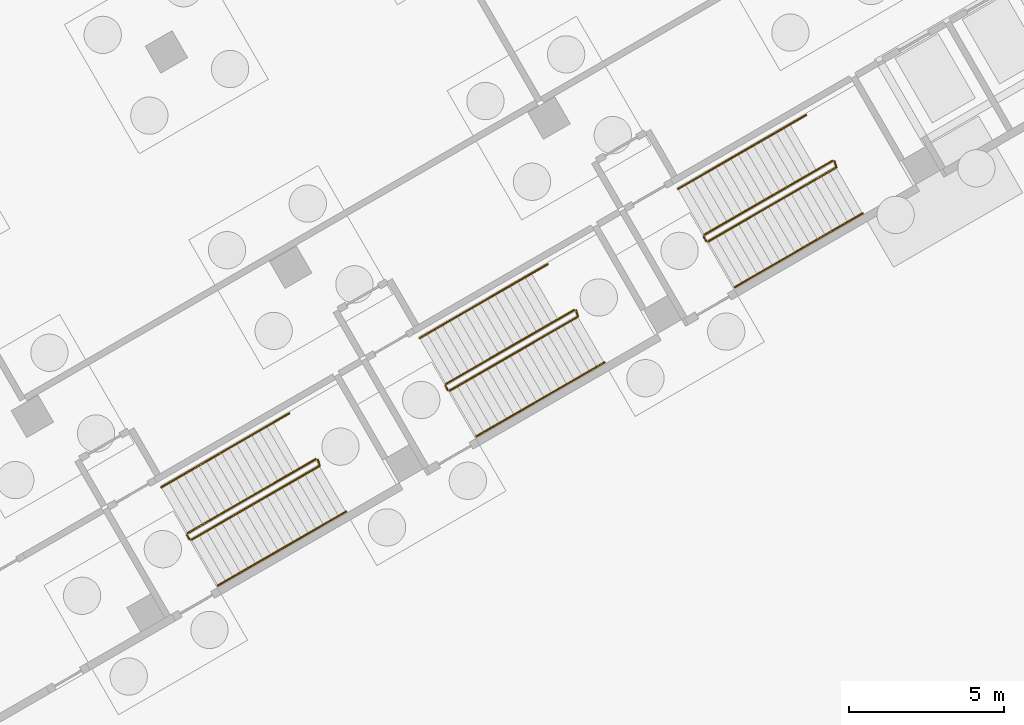
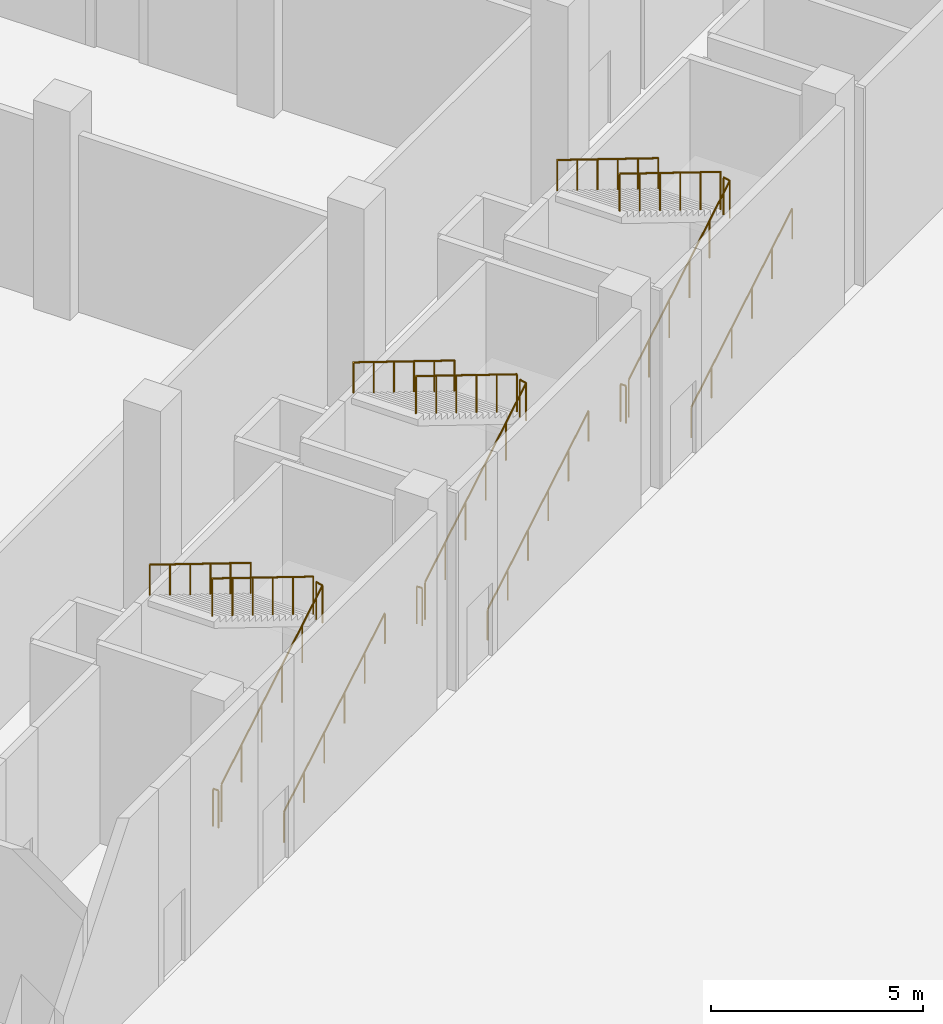
# One storey, part 35 of 38: 15 railings.
"""IFC4 building model written with IfcOpenShell, lengths in metres."""

from ifc_helpers import new_model, si_unit, direction, frame, origin, origin_2d, place, context, subcontext, project, spatial, circle, extrude, material, type_object, element, save


model = new_model("IFC4")

# Units and contexts
model_context = context("Model", 3, precision=1e-05, world=origin(), true_north=direction((0.0, 1.0)))
body_context = subcontext(model_context, "Body", "Model", "MODEL_VIEW")
ifc_project = project(units=[si_unit("LENGTHUNIT", "METRE"), si_unit("AREAUNIT", "SQUARE_METRE"), si_unit("VOLUMEUNIT", "CUBIC_METRE"), si_unit("PLANEANGLEUNIT", "RADIAN"), si_unit("MASSUNIT", "GRAM", prefix="KILO")], contexts=[model_context])

# Site, building, storey
site_placement = place(None, origin())
site = spatial("IfcSite", under=ifc_project, at=site_placement, CompositionType="ELEMENT")
building_placement = place(site_placement, origin())
building = spatial("IfcBuilding", under=site, at=building_placement, Name="Mestral Congress Tower", CompositionType="ELEMENT")
storey_placement = place(building_placement, origin())
storey = spatial("IfcBuildingStorey", under=building, at=storey_placement, Name="L00", CompositionType="ELEMENT", Elevation=0.0)

# Railings
ifc_material_1 = material(Name="Steel balustrade", Category="steel")
railing_type_1 = type_object("IfcRailingType", Name="Podium stair guard 1100", PredefinedType="GUARDRAIL", material=ifc_material_1)
railing_1_placement = place(storey_placement, frame((51.889892578125, -13.919921875, 0.166748046875)))
element("IfcRailing", 1, at=railing_1_placement, inside=storey, type_object=railing_type_1, Name="L00 PS-E1 stair guard 1", PredefinedType="GUARDRAIL", context=body_context, shape_type="SweptSolid", body=[
    extrude(circle(Radius=0.02392578125, at=origin_2d()), frame((0.0, 0.0, 1.076171875), z_axis=(0.744184523948, 0.429630485013, 0.51147535685), x_axis=(-0.499978485002, 0.866037825118, 0.0)), (0.0, 0.0, 1.0), 5.539306640625),
    extrude(circle(Radius=0.02392578125, at=origin_2d()), frame((4.122314453125, 2.3798828125, 3.9091796875), z_axis=(-0.274721127897, 0.961523947641, 0.0), x_axis=(-0.961523947641, -0.274721127897, 0.0)), (0.0, 0.0, 1.0), 0.2060546875),
    extrude(circle(Radius=0.02099609375, at=origin_2d()), origin(), (0.0, 0.0, 1.0), 1.052001953125),
    extrude(circle(Radius=0.02099609375, at=origin_2d()), frame((0.824462890625, 0.47607421875, 0.566650390625)), (0.0, 0.0, 1.0), 1.052001953125),
    extrude(circle(Radius=0.02099609375, at=origin_2d()), frame((1.64892578125, 0.951904296875, 1.13330078125)), (0.0, 0.0, 1.0), 1.052001953125),
    extrude(circle(Radius=0.02099609375, at=origin_2d()), frame((2.473388671875, 1.427978515625, 1.699951171875)), (0.0, 0.0, 1.0), 1.052001953125),
    extrude(circle(Radius=0.02099609375, at=origin_2d()), frame((3.2978515625, 1.90380859375, 2.2666015625)), (0.0, 0.0, 1.0), 1.052001953125),
    extrude(circle(Radius=0.02099609375, at=origin_2d()), frame((4.122314453125, 2.3798828125, 2.833251953125)), (0.0, 0.0, 1.0), 1.052001953125),
    extrude(circle(Radius=0.02099609375, at=origin_2d()), frame((4.065673828125, 2.578125, 2.833251953125)), (0.0, 0.0, 1.0), 1.052001953125),
])
railing_2_placement = place(storey_placement, frame((55.88720703125, -11.323486328125, 3.166748046875)))
element("IfcRailing", 2, at=railing_2_placement, inside=storey, type_object=railing_type_1, Name="L00 PS-E1 stair guard 2", PredefinedType="GUARDRAIL", context=body_context, shape_type="SweptSolid", body=[
    extrude(circle(Radius=0.02392578125, at=origin_2d()), frame((0.0, 0.0, 1.076171875), z_axis=(-0.744184523948, -0.429630485013, 0.51147535685), x_axis=(0.499978485002, -0.866037825118, 0.0)), (0.0, 0.0, 1.0), 5.539306640625),
    extrude(circle(Radius=0.02099609375, at=origin_2d()), origin(), (0.0, 0.0, 1.0), 1.052001953125),
    extrude(circle(Radius=0.02099609375, at=origin_2d()), frame((-0.824462890625, -0.47607421875, 0.566650390625)), (0.0, 0.0, 1.0), 1.052001953125),
    extrude(circle(Radius=0.02099609375, at=origin_2d()), frame((-1.64892578125, -0.951904296875, 1.13330078125)), (0.0, 0.0, 1.0), 1.052001953125),
    extrude(circle(Radius=0.02099609375, at=origin_2d()), frame((-2.473388671875, -1.427978515625, 1.699951171875)), (0.0, 0.0, 1.0), 1.052001953125),
    extrude(circle(Radius=0.02099609375, at=origin_2d()), frame((-3.2978515625, -1.90380859375, 2.2666015625)), (0.0, 0.0, 1.0), 1.052001953125),
    extrude(circle(Radius=0.02099609375, at=origin_2d()), frame((-4.122314453125, -2.3798828125, 2.833251953125)), (0.0, 0.0, 1.0), 1.052001953125),
])
railing_3_placement = place(storey_placement, frame((51.821533203125, -13.901611328125, 0.0)))
element("IfcRailing", 3, at=railing_3_placement, inside=storey, type_object=railing_type_1, Name="L00 PS-E1 stair guard 3", PredefinedType="GUARDRAIL", context=body_context, shape_type="SweptSolid", body=[
    extrude(circle(Radius=0.02392578125, at=origin_2d()), frame((0.0, 0.0, 1.076171875), z_axis=(-0.499816412211, 0.866131372301, 0.0), x_axis=(-0.866131372301, -0.499816412211, 0.0)), (0.0, 0.0, 1.0), 0.14990234375),
    extrude(circle(Radius=0.02099609375, at=origin_2d()), origin(), (0.0, 0.0, 1.0), 1.052001953125),
    extrude(circle(Radius=0.02099609375, at=origin_2d()), frame((-0.074951171875, 0.1298828125, 0.0)), (0.0, 0.0, 1.0), 1.052001953125),
])
railing_4_placement = place(storey_placement, frame((60.203857421875, -9.119873046875, 0.166748046875)))
element("IfcRailing", 4, at=railing_4_placement, inside=storey, type_object=railing_type_1, Name="L00 PS-E2 stair guard 1", PredefinedType="GUARDRAIL", context=body_context, shape_type="SweptSolid", body=[
    extrude(circle(Radius=0.02392578125, at=origin_2d()), frame((0.0, 0.0, 1.076171875), z_axis=(0.74416485776, 0.429644576726, 0.511492133043), x_axis=(-0.500000694566, 0.866025002776, 0.0)), (0.0, 0.0, 1.0), 5.539306640625),
    extrude(circle(Radius=0.02392578125, at=origin_2d()), frame((4.1220703125, 2.3798828125, 3.9091796875), z_axis=(-0.274721127897, 0.961523947641, 0.0), x_axis=(-0.961523947641, -0.274721127897, 0.0)), (0.0, 0.0, 1.0), 0.2060546875),
    extrude(circle(Radius=0.02099609375, at=origin_2d()), origin(), (0.0, 0.0, 1.0), 1.052001953125),
    extrude(circle(Radius=0.02099609375, at=origin_2d()), frame((0.824462890625, 0.47607421875, 0.566650390625)), (0.0, 0.0, 1.0), 1.052001953125),
    extrude(circle(Radius=0.02099609375, at=origin_2d()), frame((1.64892578125, 0.951904296875, 1.13330078125)), (0.0, 0.0, 1.0), 1.052001953125),
    extrude(circle(Radius=0.02099609375, at=origin_2d()), frame((2.47314453125, 1.427978515625, 1.699951171875)), (0.0, 0.0, 1.0), 1.052001953125),
    extrude(circle(Radius=0.02099609375, at=origin_2d()), frame((3.297607421875, 1.90380859375, 2.2666015625)), (0.0, 0.0, 1.0), 1.052001953125),
    extrude(circle(Radius=0.02099609375, at=origin_2d()), frame((4.1220703125, 2.3798828125, 2.833251953125)), (0.0, 0.0, 1.0), 1.052001953125),
    extrude(circle(Radius=0.02099609375, at=origin_2d()), frame((4.0654296875, 2.578125, 2.833251953125)), (0.0, 0.0, 1.0), 1.052001953125),
])
railing_5_placement = place(storey_placement, frame((64.200927734375, -6.5234375, 3.166748046875)))
element("IfcRailing", 5, at=railing_5_placement, inside=storey, type_object=railing_type_1, Name="L00 PS-E2 stair guard 2", PredefinedType="GUARDRAIL", context=body_context, shape_type="SweptSolid", body=[
    extrude(circle(Radius=0.02392578125, at=origin_2d()), frame((0.0, 0.0, 1.076171875), z_axis=(-0.744150765448, -0.429680514828, 0.511482446874), x_axis=(0.500039162534, -0.866002792104, 0.0)), (0.0, 0.0, 1.0), 5.539306640625),
    extrude(circle(Radius=0.02099609375, at=origin_2d()), origin(), (0.0, 0.0, 1.0), 1.052001953125),
    extrude(circle(Radius=0.02099609375, at=origin_2d()), frame((-0.824462890625, -0.47607421875, 0.566650390625)), (0.0, 0.0, 1.0), 1.052001953125),
    extrude(circle(Radius=0.02099609375, at=origin_2d()), frame((-1.64892578125, -0.9521484375, 1.13330078125)), (0.0, 0.0, 1.0), 1.052001953125),
    extrude(circle(Radius=0.02099609375, at=origin_2d()), frame((-2.47314453125, -1.427978515625, 1.699951171875)), (0.0, 0.0, 1.0), 1.052001953125),
    extrude(circle(Radius=0.02099609375, at=origin_2d()), frame((-3.297607421875, -1.904052734375, 2.2666015625)), (0.0, 0.0, 1.0), 1.052001953125),
    extrude(circle(Radius=0.02099609375, at=origin_2d()), frame((-4.1220703125, -2.380126953125, 2.833251953125)), (0.0, 0.0, 1.0), 1.052001953125),
])
railing_6_placement = place(storey_placement, frame((60.135498046875, -9.1015625, 0.0)))
element("IfcRailing", 6, at=railing_6_placement, inside=storey, type_object=railing_type_1, Name="L00 PS-E2 stair guard 3", PredefinedType="GUARDRAIL", context=body_context, shape_type="SweptSolid", body=[
    extrude(circle(Radius=0.02392578125, at=origin_2d()), frame((0.0, 0.0, 1.076171875), z_axis=(-0.499816412211, 0.866131372301, 0.0), x_axis=(-0.866131372301, -0.499816412211, 0.0)), (0.0, 0.0, 1.0), 0.14990234375),
    extrude(circle(Radius=0.02099609375, at=origin_2d()), origin(), (0.0, 0.0, 1.0), 1.052001953125),
    extrude(circle(Radius=0.02099609375, at=origin_2d()), frame((-0.074951171875, 0.1298828125, 0.0)), (0.0, 0.0, 1.0), 1.052001953125),
])
railing_7_placement = place(storey_placement, frame((68.517578125, -4.320068359375, 0.166748046875)))
element("IfcRailing", 7, at=railing_7_placement, inside=storey, type_object=railing_type_1, Name="L00 PS-E3 stair guard 1", PredefinedType="GUARDRAIL", context=body_context, shape_type="SweptSolid", body=[
    extrude(circle(Radius=0.02392578125, at=origin_2d()), frame((0.0, 0.0, 1.076171875), z_axis=(0.744170432188, 0.42966642247, 0.511465671634), x_axis=(-0.5000169524, 0.866015616091, 0.0)), (0.0, 0.0, 1.0), 5.53955078125),
    extrude(circle(Radius=0.02392578125, at=origin_2d()), frame((4.122314453125, 2.380126953125, 3.9091796875), z_axis=(-0.275815366736, 0.96121063429, 0.0), x_axis=(-0.96121063429, -0.275815366736, 0.0)), (0.0, 0.0, 1.0), 0.206298828125),
    extrude(circle(Radius=0.02099609375, at=origin_2d()), origin(), (0.0, 0.0, 1.0), 1.052001953125),
    extrude(circle(Radius=0.02099609375, at=origin_2d()), frame((0.824462890625, 0.47607421875, 0.566650390625)), (0.0, 0.0, 1.0), 1.052001953125),
    extrude(circle(Radius=0.02099609375, at=origin_2d()), frame((1.64892578125, 0.9521484375, 1.13330078125)), (0.0, 0.0, 1.0), 1.052001953125),
    extrude(circle(Radius=0.02099609375, at=origin_2d()), frame((2.473388671875, 1.427978515625, 1.699951171875)), (0.0, 0.0, 1.0), 1.052001953125),
    extrude(circle(Radius=0.02099609375, at=origin_2d()), frame((3.2978515625, 1.904052734375, 2.2666015625)), (0.0, 0.0, 1.0), 1.052001953125),
    extrude(circle(Radius=0.02099609375, at=origin_2d()), frame((4.122314453125, 2.380126953125, 2.833251953125)), (0.0, 0.0, 1.0), 1.052001953125),
    extrude(circle(Radius=0.02099609375, at=origin_2d()), frame((4.0654296875, 2.578369140625, 2.833251953125)), (0.0, 0.0, 1.0), 1.052001953125),
])
railing_8_placement = place(storey_placement, frame((72.514892578125, -1.723388671875, 3.166748046875)))
element("IfcRailing", 8, at=railing_8_placement, inside=storey, type_object=railing_type_1, Name="L00 PS-E3 stair guard 2", PredefinedType="GUARDRAIL", context=body_context, shape_type="SweptSolid", body=[
    extrude(circle(Radius=0.02392578125, at=origin_2d()), frame((0.0, 0.0, 1.076171875), z_axis=(-0.744170432188, -0.42966642247, 0.511465671634), x_axis=(0.5000169524, -0.866015616091, 0.0)), (0.0, 0.0, 1.0), 5.53955078125),
    extrude(circle(Radius=0.02099609375, at=origin_2d()), origin(), (0.0, 0.0, 1.0), 1.052001953125),
    extrude(circle(Radius=0.02099609375, at=origin_2d()), frame((-0.824462890625, -0.47607421875, 0.566650390625)), (0.0, 0.0, 1.0), 1.052001953125),
    extrude(circle(Radius=0.02099609375, at=origin_2d()), frame((-1.64892578125, -0.9521484375, 1.13330078125)), (0.0, 0.0, 1.0), 1.052001953125),
    extrude(circle(Radius=0.02099609375, at=origin_2d()), frame((-2.473388671875, -1.427978515625, 1.699951171875)), (0.0, 0.0, 1.0), 1.052001953125),
    extrude(circle(Radius=0.02099609375, at=origin_2d()), frame((-3.2978515625, -1.904052734375, 2.2666015625)), (0.0, 0.0, 1.0), 1.052001953125),
    extrude(circle(Radius=0.02099609375, at=origin_2d()), frame((-4.122314453125, -2.380126953125, 2.833251953125)), (0.0, 0.0, 1.0), 1.052001953125),
])
railing_9_placement = place(storey_placement, frame((68.44921875, -4.3017578125, 0.0)))
element("IfcRailing", 9, at=railing_9_placement, inside=storey, type_object=railing_type_1, Name="L00 PS-E3 stair guard 3", PredefinedType="GUARDRAIL", context=body_context, shape_type="SweptSolid", body=[
    extrude(circle(Radius=0.02392578125, at=origin_2d()), frame((0.0, 0.0, 1.076171875), z_axis=(-0.499112439033, 0.866537231285, 0.0), x_axis=(-0.866537231285, -0.499112439033, 0.0)), (0.0, 0.0, 1.0), 0.150146484375),
    extrude(circle(Radius=0.02099609375, at=origin_2d()), origin(), (0.0, 0.0, 1.0), 1.052001953125),
    extrude(circle(Radius=0.02099609375, at=origin_2d()), frame((-0.074951171875, 0.130126953125, 0.0)), (0.0, 0.0, 1.0), 1.052001953125),
])
ifc_material_2 = material(Name="Steel handrail", Category="steel")
railing_type_2 = type_object("IfcRailingType", Name="Podium stair handrail 900", PredefinedType="HANDRAIL", material=ifc_material_2)
railing_10_placement = place(storey_placement, frame((52.739990234375, -15.39208984375, 0.166748046875)))
element("IfcRailing", 10, at=railing_10_placement, inside=storey, type_object=railing_type_2, Name="L00 PS-E1 stair handrail 1", PredefinedType="HANDRAIL", context=body_context, shape_type="SweptSolid", body=[
    extrude(circle(Radius=0.02392578125, at=origin_2d()), frame((0.0, 0.0, 0.8759765625), z_axis=(0.744184523948, 0.429630485013, 0.51147535685), x_axis=(-0.499978485002, 0.866037825118, 0.0)), (0.0, 0.0, 1.0), 5.539306640625),
    extrude(circle(Radius=0.02099609375, at=origin_2d()), origin(), (0.0, 0.0, 1.0), 0.851806640625),
    extrude(circle(Radius=0.02099609375, at=origin_2d()), frame((0.824462890625, 0.47607421875, 0.566650390625)), (0.0, 0.0, 1.0), 0.851806640625),
    extrude(circle(Radius=0.02099609375, at=origin_2d()), frame((1.64892578125, 0.951904296875, 1.13330078125)), (0.0, 0.0, 1.0), 0.851806640625),
    extrude(circle(Radius=0.02099609375, at=origin_2d()), frame((2.473388671875, 1.427978515625, 1.699951171875)), (0.0, 0.0, 1.0), 0.851806640625),
    extrude(circle(Radius=0.02099609375, at=origin_2d()), frame((3.2978515625, 1.90380859375, 2.2666015625)), (0.0, 0.0, 1.0), 0.851806640625),
    extrude(circle(Radius=0.02099609375, at=origin_2d()), frame((4.122314453125, 2.3798828125, 2.833251953125)), (0.0, 0.0, 1.0), 0.851806640625),
])
railing_11_placement = place(storey_placement, frame((55.037109375, -9.851318359375, 3.166748046875)))
element("IfcRailing", 11, at=railing_11_placement, inside=storey, type_object=railing_type_2, Name="L00 PS-E1 stair handrail 2", PredefinedType="HANDRAIL", context=body_context, shape_type="SweptSolid", body=[
    extrude(circle(Radius=0.02392578125, at=origin_2d()), frame((0.0, 0.0, 0.8759765625), z_axis=(-0.74416485776, -0.429644576726, 0.511492133043), x_axis=(0.500000694566, -0.866025002776, 0.0)), (0.0, 0.0, 1.0), 5.539306640625),
    extrude(circle(Radius=0.02099609375, at=origin_2d()), origin(), (0.0, 0.0, 1.0), 0.851806640625),
    extrude(circle(Radius=0.02099609375, at=origin_2d()), frame((-0.824462890625, -0.47607421875, 0.566650390625)), (0.0, 0.0, 1.0), 0.851806640625),
    extrude(circle(Radius=0.02099609375, at=origin_2d()), frame((-1.64892578125, -0.951904296875, 1.13330078125)), (0.0, 0.0, 1.0), 0.851806640625),
    extrude(circle(Radius=0.02099609375, at=origin_2d()), frame((-2.47314453125, -1.427978515625, 1.699951171875)), (0.0, 0.0, 1.0), 0.851806640625),
    extrude(circle(Radius=0.02099609375, at=origin_2d()), frame((-3.297607421875, -1.90380859375, 2.2666015625)), (0.0, 0.0, 1.0), 0.851806640625),
    extrude(circle(Radius=0.02099609375, at=origin_2d()), frame((-4.1220703125, -2.3798828125, 2.833251953125)), (0.0, 0.0, 1.0), 0.851806640625),
])
railing_12_placement = place(storey_placement, frame((61.0537109375, -10.59228515625, 0.166748046875)))
element("IfcRailing", 12, at=railing_12_placement, inside=storey, type_object=railing_type_2, Name="L00 PS-E2 stair handrail 1", PredefinedType="HANDRAIL", context=body_context, shape_type="SweptSolid", body=[
    extrude(circle(Radius=0.02392578125, at=origin_2d()), frame((0.0, 0.0, 0.8759765625), z_axis=(0.744170432188, 0.42966642247, 0.511465671634), x_axis=(-0.5000169524, 0.866015616091, 0.0)), (0.0, 0.0, 1.0), 5.53955078125),
    extrude(circle(Radius=0.02099609375, at=origin_2d()), origin(), (0.0, 0.0, 1.0), 0.851806640625),
    extrude(circle(Radius=0.02099609375, at=origin_2d()), frame((0.824462890625, 0.47607421875, 0.566650390625)), (0.0, 0.0, 1.0), 0.851806640625),
    extrude(circle(Radius=0.02099609375, at=origin_2d()), frame((1.64892578125, 0.9521484375, 1.13330078125)), (0.0, 0.0, 1.0), 0.851806640625),
    extrude(circle(Radius=0.02099609375, at=origin_2d()), frame((2.473388671875, 1.427978515625, 1.699951171875)), (0.0, 0.0, 1.0), 0.851806640625),
    extrude(circle(Radius=0.02099609375, at=origin_2d()), frame((3.2978515625, 1.904052734375, 2.2666015625)), (0.0, 0.0, 1.0), 0.851806640625),
    extrude(circle(Radius=0.02099609375, at=origin_2d()), frame((4.122314453125, 2.380126953125, 2.833251953125)), (0.0, 0.0, 1.0), 0.851806640625),
])
railing_13_placement = place(storey_placement, frame((63.35107421875, -5.05126953125, 3.166748046875)))
element("IfcRailing", 13, at=railing_13_placement, inside=storey, type_object=railing_type_2, Name="L00 PS-E2 stair handrail 2", PredefinedType="HANDRAIL", context=body_context, shape_type="SweptSolid", body=[
    extrude(circle(Radius=0.02392578125, at=origin_2d()), frame((0.0, 0.0, 0.8759765625), z_axis=(-0.744184523948, -0.429630485013, 0.51147535685), x_axis=(0.499978485002, -0.866037825118, 0.0)), (0.0, 0.0, 1.0), 5.539306640625),
    extrude(circle(Radius=0.02099609375, at=origin_2d()), origin(), (0.0, 0.0, 1.0), 0.851806640625),
    extrude(circle(Radius=0.02099609375, at=origin_2d()), frame((-0.824462890625, -0.47607421875, 0.566650390625)), (0.0, 0.0, 1.0), 0.851806640625),
    extrude(circle(Radius=0.02099609375, at=origin_2d()), frame((-1.64892578125, -0.951904296875, 1.13330078125)), (0.0, 0.0, 1.0), 0.851806640625),
    extrude(circle(Radius=0.02099609375, at=origin_2d()), frame((-2.473388671875, -1.427978515625, 1.699951171875)), (0.0, 0.0, 1.0), 0.851806640625),
    extrude(circle(Radius=0.02099609375, at=origin_2d()), frame((-3.2978515625, -1.90380859375, 2.2666015625)), (0.0, 0.0, 1.0), 0.851806640625),
    extrude(circle(Radius=0.02099609375, at=origin_2d()), frame((-4.122314453125, -2.3798828125, 2.833251953125)), (0.0, 0.0, 1.0), 0.851806640625),
])
railing_14_placement = place(storey_placement, frame((69.367431640625, -5.792236328125, 0.166748046875)))
element("IfcRailing", 14, at=railing_14_placement, inside=storey, type_object=railing_type_2, Name="L00 PS-E3 stair handrail 1", PredefinedType="HANDRAIL", context=body_context, shape_type="SweptSolid", body=[
    extrude(circle(Radius=0.02392578125, at=origin_2d()), frame((0.0, 0.0, 0.8759765625), z_axis=(0.744170432188, 0.42966642247, 0.511465671634), x_axis=(-0.5000169524, 0.866015616091, 0.0)), (0.0, 0.0, 1.0), 5.53955078125),
    extrude(circle(Radius=0.02099609375, at=origin_2d()), origin(), (0.0, 0.0, 1.0), 0.851806640625),
    extrude(circle(Radius=0.02099609375, at=origin_2d()), frame((0.824462890625, 0.47607421875, 0.566650390625)), (0.0, 0.0, 1.0), 0.851806640625),
    extrude(circle(Radius=0.02099609375, at=origin_2d()), frame((1.64892578125, 0.9521484375, 1.13330078125)), (0.0, 0.0, 1.0), 0.851806640625),
    extrude(circle(Radius=0.02099609375, at=origin_2d()), frame((2.473388671875, 1.427978515625, 1.699951171875)), (0.0, 0.0, 1.0), 0.851806640625),
    extrude(circle(Radius=0.02099609375, at=origin_2d()), frame((3.2978515625, 1.904052734375, 2.2666015625)), (0.0, 0.0, 1.0), 0.851806640625),
    extrude(circle(Radius=0.02099609375, at=origin_2d()), frame((4.122314453125, 2.380126953125, 2.833251953125)), (0.0, 0.0, 1.0), 0.851806640625),
])
railing_15_placement = place(storey_placement, frame((71.664794921875, -0.251220703125, 3.166748046875)))
element("IfcRailing", 15, at=railing_15_placement, inside=storey, type_object=railing_type_2, Name="L00 PS-E3 stair handrail 2", PredefinedType="HANDRAIL", context=body_context, shape_type="SweptSolid", body=[
    extrude(circle(Radius=0.02392578125, at=origin_2d()), frame((0.0, 0.0, 0.8759765625), z_axis=(-0.744184523948, -0.429630485013, 0.51147535685), x_axis=(0.499978485002, -0.866037825118, 0.0)), (0.0, 0.0, 1.0), 5.539306640625),
    extrude(circle(Radius=0.02099609375, at=origin_2d()), origin(), (0.0, 0.0, 1.0), 0.851806640625),
    extrude(circle(Radius=0.02099609375, at=origin_2d()), frame((-0.824462890625, -0.47607421875, 0.566650390625)), (0.0, 0.0, 1.0), 0.851806640625),
    extrude(circle(Radius=0.02099609375, at=origin_2d()), frame((-1.64892578125, -0.951904296875, 1.13330078125)), (0.0, 0.0, 1.0), 0.851806640625),
    extrude(circle(Radius=0.02099609375, at=origin_2d()), frame((-2.473388671875, -1.427978515625, 1.699951171875)), (0.0, 0.0, 1.0), 0.851806640625),
    extrude(circle(Radius=0.02099609375, at=origin_2d()), frame((-3.2978515625, -1.90380859375, 2.2666015625)), (0.0, 0.0, 1.0), 0.851806640625),
    extrude(circle(Radius=0.02099609375, at=origin_2d()), frame((-4.122314453125, -2.3798828125, 2.833251953125)), (0.0, 0.0, 1.0), 0.851806640625),
])

save(model, "model.ifc")
